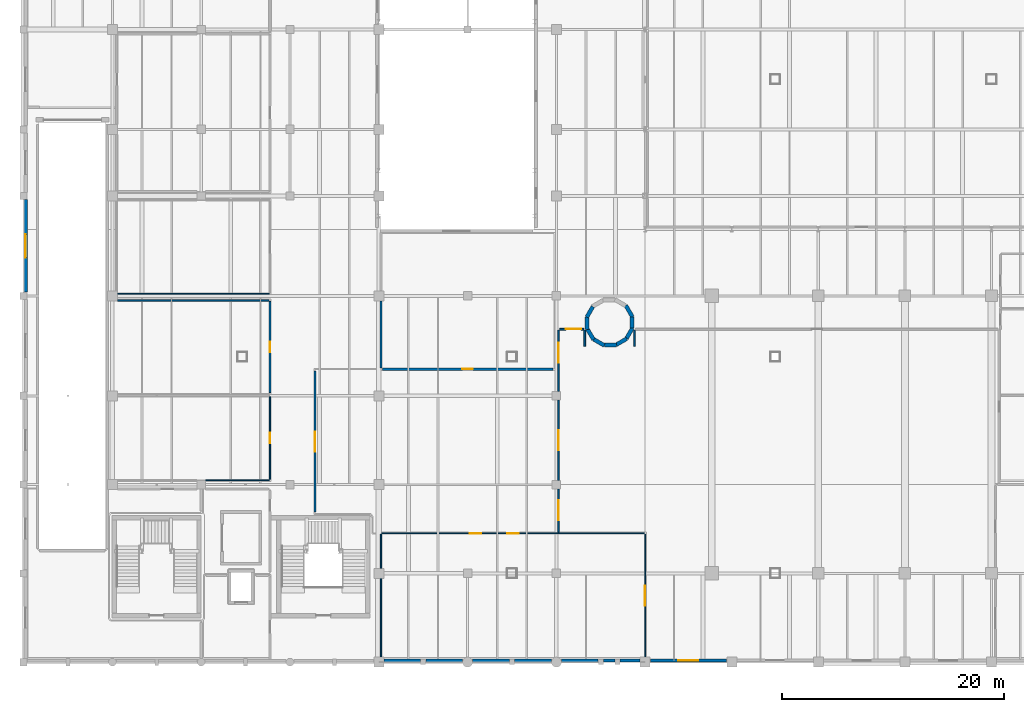
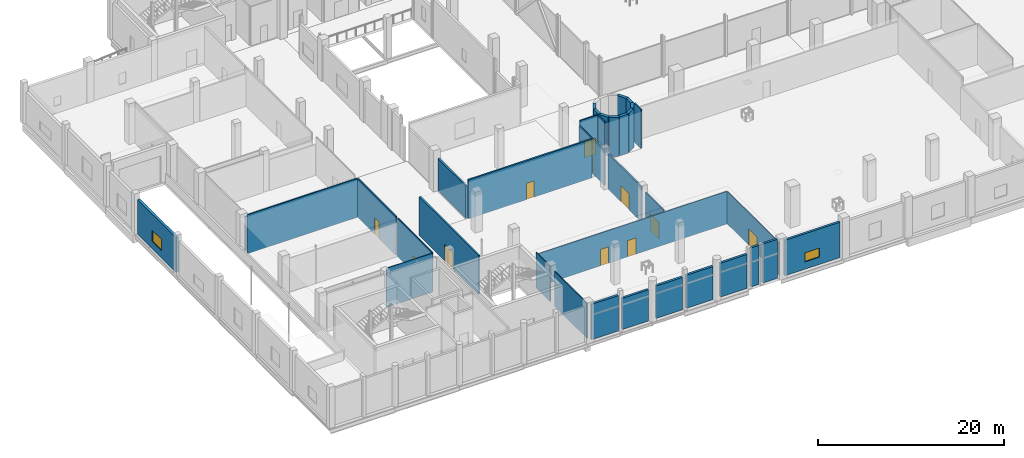
# One storey, part 38 of 57: 36 walls, 11 doors, 2 windows, 13 openings.
"""IFC4 building model written with IfcOpenShell, lengths in metres."""

from ifc_helpers import new_model, si_unit, derived_unit, direction, frame, frame_2d, origin, place, context, subcontext, project, spatial, rectangle, extrude, material, layer, layer_set, type_object, element, fill, save


model = new_model("IFC4")

# Units and contexts
model_context = context("Model", 3, precision=1e-05, world=origin(), true_north=direction((0.0, 1.0)))
body_context = subcontext(model_context, "Body", "Model", "MODEL_VIEW")
ifc_project = project(units=[si_unit("LENGTHUNIT", "METRE"), si_unit("AREAUNIT", "SQUARE_METRE"), si_unit("VOLUMEUNIT", "CUBIC_METRE"), si_unit("PLANEANGLEUNIT", "RADIAN"), si_unit("MASSUNIT", "GRAM", prefix="KILO"), derived_unit("THERMALTRANSMITTANCEUNIT", [(si_unit("POWERUNIT", "WATT"), 1), (si_unit("LENGTHUNIT", "METRE"), -2), (si_unit("THERMODYNAMICTEMPERATUREUNIT", "KELVIN"), -1)])], contexts=[model_context])

# Site, building, storey
site_placement = place(None, origin())
site = spatial("IfcSite", under=ifc_project, at=site_placement, CompositionType="ELEMENT")
building_placement = place(site_placement, origin())
building = spatial("IfcBuilding", under=site, at=building_placement, Name="Nallur Shell Playhouse", CompositionType="ELEMENT")
storey_placement = place(building_placement, origin())
storey = spatial("IfcBuildingStorey", under=building, at=storey_placement, Name="L01", CompositionType="ELEMENT", Elevation=0.0)

# Walls
ifc_material_1 = material(Name="Concrete M45", Category="concrete")
ifc_layer_1 = layer(ifc_material_1, 0.39990234375)
ifc_layer_set_1 = layer_set([ifc_layer_1], Name="Concrete M45")
wall_type_1 = type_object("IfcWallType", Name="WL-CORE-400", PredefinedType="SHEAR", material=ifc_layer_set_1)
wall_1_placement = place(storey_placement, frame((62.861328125, 39.08642578125, 0.0), z_axis=(0.0, 0.0, 1.0), x_axis=(-0.499930512259, 0.866065518833, 0.0)))
element("IfcWall", 1, at=wall_1_placement, inside=storey, type_object=wall_type_1, Name="Metabolist service drum DR-1 facet 1 (L01)", PredefinedType="SHEAR", context=body_context, shape_type="SweptSolid", body=[
    extrude(rectangle(XDim=1.218994140625, YDim=0.35009765625, at=frame_2d((0.609375, 0.0))), origin(), (0.0, 0.0, 1.0), 5.1201171875),
])
for number, where, z_axis, x_axis, name in (
    (2, (59.28515625, 40.032958984375, 0.0), (0.0, 0.0, 1.0), (-0.500102687236, -0.865966109163, 0.0), "Metabolist service drum DR-1 facet 5 (L01)"),
    (3, (58.771484375, 39.08349609375, 0.0), (0.0, 0.0, 1.0), (0.0, -1.0, 0.0), "Metabolist service drum DR-1 facet 6 (L01)"),
    (4, (58.801513671875, 38.00439453125, 0.0), (0.0, 0.0, 1.0), (0.500102687236, -0.865966109163, 0.0), "Metabolist service drum DR-1 facet 7 (L01)"),
):
    element("IfcWall", number, at=place(storey_placement, frame(where, z_axis=z_axis, x_axis=x_axis)), inside=storey, type_object=wall_type_1, Name=name, PredefinedType="SHEAR", context=body_context, shape_type="SweptSolid", body=[
        extrude(rectangle(XDim=1.093017578125, YDim=0.35009765625, at=frame_2d((0.54638671875, 0.0))), origin(), (0.0, 0.0, 1.0), 5.1201171875),
    ])
wall_2_placement = place(storey_placement, frame((59.366943359375, 37.085205078125, 0.0), z_axis=(0.0, 0.0, 1.0), x_axis=(0.866021955858, -0.500005971936, 0.0)))
element("IfcWall", 5, at=wall_2_placement, inside=storey, type_object=wall_type_1, Name="Metabolist service drum DR-1 facet 8 (L01)", PredefinedType="SHEAR", context=body_context, shape_type="SweptSolid", body=[
    extrude(rectangle(XDim=1.09326171875, YDim=0.35009765625, at=frame_2d((0.546630859375, 0.0))), origin(), (0.0, 0.0, 1.0), 5.1201171875),
])
for number, where, z_axis, x_axis, name in (
    (6, (60.31640625, 36.571533203125, 0.0), (0.0, 0.0, 1.0), (1.0, 0.0, 0.0), "Metabolist service drum DR-1 facet 9 (L01)"),
    (7, (61.3955078125, 36.6015625, 0.0), (0.0, 0.0, 1.0), (0.865966109163, 0.500102687236, 0.0), "Metabolist service drum DR-1 facet 10 (L01)"),
    (8, (62.31494140625, 37.1669921875, 0.0), (0.0, 0.0, 1.0), (0.499935162227, 0.866062834654, 0.0), "Metabolist service drum DR-1 facet 11 (L01)"),
):
    element("IfcWall", number, at=place(storey_placement, frame(where, z_axis=z_axis, x_axis=x_axis)), inside=storey, type_object=wall_type_1, Name=name, PredefinedType="SHEAR", context=body_context, shape_type="SweptSolid", body=[
        extrude(rectangle(XDim=1.093017578125, YDim=0.35009765625, at=frame_2d((0.54638671875, 0.0))), origin(), (0.0, 0.0, 1.0), 5.1201171875),
    ])
wall_3_placement = place(storey_placement, frame((62.828369140625, 38.116455078125, 0.0), z_axis=(0.0, 0.0, 1.0), x_axis=(0.0, 1.0, 0.0)))
element("IfcWall", 9, at=wall_3_placement, inside=storey, type_object=wall_type_1, Name="Metabolist service drum DR-1 facet 12 (L01)", PredefinedType="SHEAR", context=body_context, shape_type="SweptSolid", body=[
    extrude(rectangle(XDim=0.967041015625, YDim=0.35009765625, at=frame_2d((0.4833984375, 0.0))), origin(), (0.0, 0.0, 1.0), 5.1201171875),
])

# Wall, opening, window
ifc_material_2 = material(Name="Concrete M30", Category="concrete")
ifc_layer_2 = layer(ifc_material_2, 0.280029296875)
ifc_layer_set_2 = layer_set([ifc_layer_2], Name="Concrete M30")
wall_type_2 = type_object("IfcWallType", Name="WL-EXT-INS280", PredefinedType="STANDARD", material=ifc_layer_set_2)
wall_4_placement = place(storey_placement, frame((71.342041015625, 8.159912109375, 0.0), z_axis=(0.0, 0.0, 1.0), x_axis=(-1.0, 0.0, 0.0)))
wall_4 = element("IfcWall", 10, at=wall_4_placement, inside=storey, type_object=wall_type_2, Name="L01 exterior wall EW-L01-051", PredefinedType="STANDARD", context=body_context, shape_type="SweptSolid", body=[
    extrude(rectangle(XDim=6.884033203125, YDim=0.280029296875, at=frame_2d((3.44189453125, 0.0))), origin(), (0.0, 0.0, 1.0), 4.655029296875),
])
opening_1_placement = place(wall_4_placement, frame((2.5419921875, 0.0, 0.949951171875)))
opening_1 = element("IfcOpeningElement", 11, at=opening_1_placement, cuts=wall_4, Name="Opening WN-21", PredefinedType="OPENING", context=body_context, shape_type="SweptSolid", body=[
    extrude(rectangle(XDim=1.800048828125, YDim=1.199951171875, at=frame_2d((0.89990234375, 0.60009765625))), frame((0.0, 0.14990234375, 0.0), z_axis=(0.0, -1.0, 0.0), x_axis=(1.0, 0.0, 0.0)), (0.0, 0.0, 1.0), 0.300048828125),
])
ifc_material_3 = material(Name="Thermally Broken Aluminium Acoustic Double-Glazed Window", Category="aluminium")
window_type_1 = type_object("IfcWindowType", Name="WN-TYPE-21", PartitioningType="SINGLE_PANEL", PredefinedType="WINDOW", material=ifc_material_3)
window_1_placement = place(opening_1_placement, origin())
window_1 = element("IfcWindow", 12, at=window_1_placement, inside=storey, type_object=window_type_1, Name="L01 facade module window 021", OverallHeight=1.199951171875, OverallWidth=1.800048828125, PartitioningType="SINGLE_PANEL", PredefinedType="WINDOW", context=body_context, shape_type="SweptSolid", body=[
    extrude(rectangle(XDim=1.800048828125, YDim=1.199951171875, at=frame_2d((0.89990234375, 0.60009765625))), frame((0.0, 0.030029296875, 0.0), z_axis=(0.0, -1.0, 0.0), x_axis=(1.0, 0.0, 0.0)), (0.0, 0.0, 1.0), 0.06005859375),
])
fill(opening_1, window_1)

# Walls
wall_5_placement = place(storey_placement, frame((63.5419921875, 8.159912109375, 0.0), z_axis=(0.0, 0.0, 1.0), x_axis=(-1.0, 0.0, 0.0)))
element("IfcWall", 13, at=wall_5_placement, inside=storey, type_object=wall_type_2, Name="L01 exterior wall EW-L01-052", PredefinedType="STANDARD", context=body_context, shape_type="SweptSolid", body=[
    extrude(rectangle(XDim=1.80908203125, YDim=0.280029296875, at=frame_2d((0.904541015625, 0.0))), origin(), (0.0, 0.0, 1.0), 5.1201171875),
])
wall_6_placement = place(storey_placement, frame((61.26708984375, 8.159912109375, 0.0), z_axis=(0.0, 0.0, 1.0), x_axis=(-1.0, 0.0, 0.0)))
element("IfcWall", 14, at=wall_6_placement, inside=storey, type_object=wall_type_2, Name="L01 exterior wall EW-L01-053", PredefinedType="STANDARD", context=body_context, shape_type="SweptSolid", body=[
    extrude(rectangle(XDim=1.0341796875, YDim=0.280029296875, at=frame_2d((0.51708984375, 0.0))), origin(), (0.0, 0.0, 1.0), 5.1201171875),
])
wall_7_placement = place(storey_placement, frame((59.76708984375, 8.159912109375, 0.0), z_axis=(0.0, 0.0, 1.0), x_axis=(-1.0, 0.0, 0.0)))
element("IfcWall", 15, at=wall_7_placement, inside=storey, type_object=wall_type_2, Name="L01 exterior wall EW-L01-054", PredefinedType="STANDARD", context=body_context, shape_type="SweptSolid", body=[
    extrude(rectangle(XDim=3.30908203125, YDim=0.280029296875, at=frame_2d((1.654541015625, 0.0))), origin(), (0.0, 0.0, 1.0), 4.455078125),
])
wall_8_placement = place(storey_placement, frame((55.5419921875, 8.159912109375, 0.0), z_axis=(0.0, 0.0, 1.0), x_axis=(-1.0, 0.0, 0.0)))
element("IfcWall", 16, at=wall_8_placement, inside=storey, type_object=wall_type_2, Name="L01 exterior wall EW-L01-055", PredefinedType="STANDARD", context=body_context, shape_type="SweptSolid", body=[
    extrude(rectangle(XDim=3.30908203125, YDim=0.280029296875, at=frame_2d((1.654541015625, 0.0))), origin(), (0.0, 0.0, 1.0), 4.35498046875),
])
wall_9_placement = place(storey_placement, frame((51.76708984375, 8.159912109375, 0.0), z_axis=(0.0, 0.0, 1.0), x_axis=(-1.0, 0.0, 0.0)))
element("IfcWall", 17, at=wall_9_placement, inside=storey, type_object=wall_type_2, Name="L01 exterior wall EW-L01-056", PredefinedType="STANDARD", context=body_context, shape_type="SweptSolid", body=[
    extrude(rectangle(XDim=3.30908203125, YDim=0.280029296875, at=frame_2d((1.654541015625, 0.0))), origin(), (0.0, 0.0, 1.0), 4.2548828125),
])
wall_10_placement = place(storey_placement, frame((47.5419921875, 8.159912109375, 0.0), z_axis=(0.0, 0.0, 1.0), x_axis=(-1.0, 0.0, 0.0)))
element("IfcWall", 18, at=wall_10_placement, inside=storey, type_object=wall_type_2, Name="L01 exterior wall EW-L01-057", PredefinedType="STANDARD", context=body_context, shape_type="SweptSolid", body=[
    extrude(rectangle(XDim=3.30908203125, YDim=0.280029296875, at=frame_2d((1.654541015625, 0.0))), origin(), (0.0, 0.0, 1.0), 4.10498046875),
])
wall_11_placement = place(storey_placement, frame((43.76708984375, 8.159912109375, 0.0), z_axis=(0.0, 0.0, 1.0), x_axis=(-1.0, 0.0, 0.0)))
element("IfcWall", 19, at=wall_11_placement, inside=storey, type_object=wall_type_2, Name="L01 exterior wall EW-L01-058", PredefinedType="STANDARD", context=body_context, shape_type="SweptSolid", body=[
    extrude(rectangle(XDim=3.30908203125, YDim=0.280029296875, at=frame_2d((1.654541015625, 0.0))), origin(), (0.0, 0.0, 1.0), 4.655029296875),
])

# Wall, opening, window
ifc_material_4 = material(Name="Concrete M35", Category="concrete")
ifc_layer_3 = layer(ifc_material_4, 0.320068359375)
ifc_layer_set_3 = layer_set([ifc_layer_3], Name="Concrete M35")
wall_type_3 = type_object("IfcWallType", Name="WL-EXT-RC320", PredefinedType="STANDARD", material=ifc_layer_set_3)
wall_12_placement = place(storey_placement, frame((8.179931640625, 41.3330078125, 0.0), z_axis=(0.0, 0.0, 1.0), x_axis=(0.0, 1.0, 0.0)))
wall_12 = element("IfcWall", 20, at=wall_12_placement, inside=storey, type_object=wall_type_3, Name="L01 exterior wall EW-L01-071", PredefinedType="STANDARD", context=body_context, shape_type="SweptSolid", body=[
    extrude(rectangle(XDim=8.333984375, YDim=0.320068359375, at=frame_2d((4.1669921875, 0.0))), origin(), (0.0, 0.0, 1.0), 4.554931640625),
])
opening_2_placement = place(wall_12_placement, frame((3.116943359375, 0.0, 0.949951171875)))
opening_2 = element("IfcOpeningElement", 21, at=opening_2_placement, cuts=wall_12, Name="Opening WN-26", PredefinedType="OPENING", context=body_context, shape_type="SweptSolid", body=[
    extrude(rectangle(XDim=2.10009765625, YDim=1.5, at=frame_2d((1.050048828125, 0.75))), frame((0.0, 0.169921875, 0.0), z_axis=(0.0, -1.0, 0.0), x_axis=(1.0, 0.0, 0.0)), (0.0, 0.0, 1.0), 0.340087890625),
])
window_type_2 = type_object("IfcWindowType", Name="WN-TYPE-26", PartitioningType="SINGLE_PANEL", PredefinedType="LIGHTDOME", material=ifc_material_3)
window_2_placement = place(opening_2_placement, origin())
window_2 = element("IfcWindow", 22, at=window_2_placement, inside=storey, type_object=window_type_2, Name="L01 facade module window 026", OverallHeight=1.5, OverallWidth=2.10009765625, PartitioningType="SINGLE_PANEL", PredefinedType="LIGHTDOME", context=body_context, shape_type="SweptSolid", body=[
    extrude(rectangle(XDim=2.10009765625, YDim=1.5, at=frame_2d((1.050048828125, 0.75))), frame((0.0, 0.030029296875, 0.0), z_axis=(0.0, -1.0, 0.0), x_axis=(1.0, 0.0, 0.0)), (0.0, 0.0, 1.0), 0.06005859375),
])
fill(opening_2, window_2)

# Wall, opening, door
ifc_layer_4 = layer(ifc_material_2, 0.199951171875)
ifc_layer_set_4 = layer_set([ifc_layer_4], Name="Concrete M30")
wall_type_4 = type_object("IfcWallType", Name="WL-PART-AC200", PredefinedType="PARTITIONING", material=ifc_layer_set_4)
wall_13_placement = place(storey_placement, frame((55.679931640625, 34.39990234375, 0.0), z_axis=(0.0, 0.0, 1.0), x_axis=(-1.0, 0.0, 0.0)))
wall_13 = element("IfcWall", 23, at=wall_13_placement, inside=storey, type_object=wall_type_4, Name="Box Office & Patron Ticketing Suite partition IW-L01-0053", PredefinedType="PARTITIONING", context=body_context, shape_type="SweptSolid", body=[
    extrude(rectangle(XDim=15.35986328125, YDim=0.199951171875, at=frame_2d((7.679931640625, 0.0))), origin(), (0.0, 0.0, 1.0), 5.110107421875),
])
opening_3_placement = place(wall_13_placement, frame((7.205078125, 0.0, 0.0)))
opening_3 = element("IfcOpeningElement", 24, at=opening_3_placement, cuts=wall_13, Name="Opening ID-04", PredefinedType="OPENING", context=body_context, shape_type="SweptSolid", body=[
    extrude(rectangle(XDim=0.949951171875, YDim=2.14990234375, at=frame_2d((0.47509765625, 1.074951171875))), frame((0.0, 0.10986328125, 0.0), z_axis=(0.0, -1.0, 0.0), x_axis=(1.0, 0.0, 0.0)), (0.0, 0.0, 1.0), 0.219970703125),
])
ifc_material_5 = material(Name="Solid-Core Engineered Timber Door", Category="wood")
door_type_1 = type_object("IfcDoorType", Name="DR-INT-SGL950R", OperationType="SINGLE_SWING_RIGHT", PredefinedType="DOOR", material=ifc_material_5)
door_1_placement = place(opening_3_placement, origin())
door_1 = element("IfcDoor", 25, at=door_1_placement, inside=storey, type_object=door_type_1, Name="Box Office & Patron Ticketing Suite door 1", OperationType="SINGLE_SWING_RIGHT", OverallHeight=2.14990234375, OverallWidth=0.949951171875, PredefinedType="DOOR", context=body_context, shape_type="SweptSolid", body=[
    extrude(rectangle(XDim=0.949951171875, YDim=2.14990234375, at=frame_2d((0.47509765625, 1.074951171875))), frame((0.0, 0.02490234375, 0.0), z_axis=(0.0, -1.0, 0.0), x_axis=(1.0, 0.0, 0.0)), (0.0, 0.0, 1.0), 0.050048828125),
])
fill(opening_3, door_1)

# Wall
wall_14_placement = place(storey_placement, frame((40.199951171875, 34.52001953125, 0.0), z_axis=(0.0, 0.0, 1.0), x_axis=(0.0, 1.0, 0.0)))
element("IfcWall", 26, at=wall_14_placement, inside=storey, type_object=wall_type_4, Name="Box Office & Patron Ticketing Suite partition IW-L01-0054", PredefinedType="PARTITIONING", context=body_context, shape_type="SweptSolid", body=[
    extrude(rectangle(XDim=6.014892578125, YDim=0.199951171875, at=frame_2d((3.00732421875, 0.0))), origin(), (0.0, 0.0, 1.0), 4.25),
])

# Wall, opening, door
wall_15_placement = place(storey_placement, frame((34.25, 21.52001953125, 0.0), z_axis=(0.0, 0.0, 1.0), x_axis=(0.0, 1.0, 0.0)))
wall_15 = element("IfcWall", 27, at=wall_15_placement, inside=storey, type_object=wall_type_4, Name="Ground Monsoon Atrium Concourse partition IW-L01-0125", PredefinedType="PARTITIONING", context=body_context, shape_type="SweptSolid", body=[
    extrude(rectangle(XDim=12.7099609375, YDim=0.199951171875, at=frame_2d((6.35498046875, 0.0))), origin(), (0.0, 0.0, 1.0), 5.110107421875),
])
opening_4_placement = place(wall_15_placement, frame((5.455078125, 0.0, 0.0)))
opening_4 = element("IfcOpeningElement", 28, at=opening_4_placement, cuts=wall_15, Name="Opening FD-FL1", PredefinedType="OPENING", context=body_context, shape_type="SweptSolid", body=[
    extrude(rectangle(XDim=1.800048828125, YDim=2.14990234375, at=frame_2d((0.89990234375, 1.074951171875))), frame((0.0, 0.10986328125, 0.0), z_axis=(0.0, -1.0, 0.0), x_axis=(1.0, 0.0, 0.0)), (0.0, 0.0, 1.0), 0.219970703125),
])
ifc_material_6 = material(Name="Firefighting Lobby Smoke-Seal Double Door")
door_type_2 = type_object("IfcDoorType", Name="DR-INT-FFL-DBL", OperationType="DOUBLE_DOOR_SINGLE_SWING", PredefinedType="DOOR", material=ifc_material_6)
door_2_placement = place(opening_4_placement, origin())
door_2 = element("IfcDoor", 29, at=door_2_placement, inside=storey, type_object=door_type_2, Name="L01 circulation link door 0041", OperationType="DOUBLE_DOOR_SINGLE_SWING", OverallHeight=2.14990234375, OverallWidth=1.800048828125, PredefinedType="DOOR", context=body_context, shape_type="SweptSolid", body=[
    extrude(rectangle(XDim=1.800048828125, YDim=2.14990234375, at=frame_2d((0.89990234375, 1.074951171875))), frame((0.0, 0.02490234375, 0.0), z_axis=(0.0, -1.0, 0.0), x_axis=(1.0, 0.0, 0.0)), (0.0, 0.0, 1.0), 0.050048828125),
])
fill(opening_4, door_2)

# Wall, openings, doors
ifc_material_7 = material(Name="Double-Layer Fire-Rated Gypsum Stud Partition")
ifc_layer_5 = layer(ifc_material_7, 0.10009765625)
ifc_layer_set_5 = layer_set([ifc_layer_5], Name="Double-Layer Fire-Rated Gypsum Stud Partition")
wall_type_5 = type_object("IfcWallType", Name="WL-PART-DRY100", PredefinedType="PARTITIONING", material=ifc_layer_set_5)
wall_16_placement = place(storey_placement, frame((40.27001953125, 19.60009765625, 0.0), z_axis=(0.0, 0.0, 1.0), x_axis=(1.0, 0.0, 0.0)))
wall_16 = element("IfcWall", 30, at=wall_16_placement, inside=storey, type_object=wall_type_5, Name="South-West Sheltered Arrival Colonnade partition IW-L01-0039", PredefinedType="PARTITIONING", context=body_context, shape_type="SweptSolid", body=[
    extrude(rectangle(XDim=23.659912109375, YDim=0.10009765625, at=frame_2d((11.830078125, 0.0))), origin(), (0.0, 0.0, 1.0), 4.300048828125),
])
opening_5_placement = place(wall_16_placement, frame((11.304931640625, 0.0, 0.0)))
opening_5 = element("IfcOpeningElement", 31, at=opening_5_placement, cuts=wall_16, Name="Opening ID-02", PredefinedType="OPENING", context=body_context, shape_type="SweptSolid", body=[
    extrude(rectangle(XDim=1.050048828125, YDim=2.14990234375, at=frame_2d((0.52490234375, 1.074951171875))), frame((0.0, 0.06005859375, 0.0), z_axis=(0.0, -1.0, 0.0), x_axis=(1.0, 0.0, 0.0)), (0.0, 0.0, 1.0), 0.1201171875),
])
opening_6_placement = place(wall_16_placement, frame((7.9130859375, 0.0, 0.0)))
opening_6 = element("IfcOpeningElement", 32, at=opening_6_placement, cuts=wall_16, Name="Opening ID-02", PredefinedType="OPENING", context=body_context, shape_type="SweptSolid", body=[
    extrude(rectangle(XDim=1.050048828125, YDim=2.14990234375, at=frame_2d((0.52490234375, 1.074951171875))), frame((0.0, 0.06005859375, 0.0), z_axis=(0.0, -1.0, 0.0), x_axis=(1.0, 0.0, 0.0)), (0.0, 0.0, 1.0), 0.1201171875),
])
ifc_material_8 = material(Name="Solid-Core Engineered Timber Fire Door", Category="wood")
door_type_3 = type_object("IfcDoorType", Name="DR-INT-SGL1050R", OperationType="SINGLE_SWING_RIGHT", PredefinedType="DOOR", material=ifc_material_8)
door_3_placement = place(opening_5_placement, origin())
door_3 = element("IfcDoor", 33, at=door_3_placement, inside=storey, type_object=door_type_3, Name="South-West Sheltered Arrival Colonnade door 1", OperationType="SINGLE_SWING_RIGHT", OverallHeight=2.14990234375, OverallWidth=1.050048828125, PredefinedType="DOOR", context=body_context, shape_type="SweptSolid", body=[
    extrude(rectangle(XDim=1.050048828125, YDim=2.14990234375, at=frame_2d((0.52490234375, 1.074951171875))), frame((0.0, 0.02490234375, 0.0), z_axis=(0.0, -1.0, 0.0), x_axis=(1.0, 0.0, 0.0)), (0.0, 0.0, 1.0), 0.050048828125),
])
fill(opening_5, door_3)
door_4_placement = place(opening_6_placement, origin())
door_4 = element("IfcDoor", 34, at=door_4_placement, inside=storey, type_object=door_type_3, Name="Ground Monsoon Atrium Concourse door 1", OperationType="SINGLE_SWING_RIGHT", OverallHeight=2.14990234375, OverallWidth=1.050048828125, PredefinedType="DOOR", context=body_context, shape_type="SweptSolid", body=[
    extrude(rectangle(XDim=1.050048828125, YDim=2.14990234375, at=frame_2d((0.52490234375, 1.074951171875))), frame((0.0, 0.02490234375, 0.0), z_axis=(0.0, -1.0, 0.0), x_axis=(1.0, 0.0, 0.0)), (0.0, 0.0, 1.0), 0.050048828125),
])
fill(opening_6, door_4)

# Wall, opening, door
wall_17_placement = place(storey_placement, frame((64.0, 19.530029296875, 0.0), z_axis=(0.0, 0.0, 1.0), x_axis=(0.0, -1.0, 0.0)))
wall_17 = element("IfcWall", 35, at=wall_17_placement, inside=storey, type_object=wall_type_5, Name="South-West Sheltered Arrival Colonnade partition IW-L01-0040", PredefinedType="PARTITIONING", context=body_context, shape_type="SweptSolid", body=[
    extrude(rectangle(XDim=11.06005859375, YDim=0.10009765625, at=frame_2d((5.530029296875, 0.0))), origin(), (0.0, 0.0, 1.0), 4.300048828125),
])
opening_7_placement = place(wall_17_placement, frame((4.6298828125, 0.0, 0.0)))
opening_7 = element("IfcOpeningElement", 36, at=opening_7_placement, cuts=wall_17, Name="Opening FD-FL1", PredefinedType="OPENING", context=body_context, shape_type="SweptSolid", body=[
    extrude(rectangle(XDim=1.800048828125, YDim=2.14990234375, at=frame_2d((0.89990234375, 1.074951171875))), frame((0.0, 0.06005859375, 0.0), z_axis=(0.0, -1.0, 0.0), x_axis=(1.0, 0.0, 0.0)), (0.0, 0.0, 1.0), 0.1201171875),
])
door_5_placement = place(opening_7_placement, origin())
door_5 = element("IfcDoor", 37, at=door_5_placement, inside=storey, type_object=door_type_2, Name="L01 circulation link door 0035", OperationType="DOUBLE_DOOR_SINGLE_SWING", OverallHeight=2.14990234375, OverallWidth=1.800048828125, PredefinedType="DOOR", context=body_context, shape_type="SweptSolid", body=[
    extrude(rectangle(XDim=1.800048828125, YDim=2.14990234375, at=frame_2d((0.89990234375, 1.074951171875))), frame((0.0, 0.02490234375, 0.0), z_axis=(0.0, -1.0, 0.0), x_axis=(1.0, 0.0, 0.0)), (0.0, 0.0, 1.0), 0.050048828125),
])
fill(opening_7, door_5)

# Walls
wall_18_placement = place(storey_placement, frame((40.199951171875, 8.469970703125, 0.0), z_axis=(0.0, 0.0, 1.0), x_axis=(0.0, 1.0, 0.0)))
element("IfcWall", 38, at=wall_18_placement, inside=storey, type_object=wall_type_5, Name="South-West Sheltered Arrival Colonnade partition IW-L01-0041", PredefinedType="PARTITIONING", context=body_context, shape_type="SweptSolid", body=[
    extrude(rectangle(XDim=7.06494140625, YDim=0.10009765625, at=frame_2d((3.532470703125, 0.0))), origin(), (0.0, 0.0, 1.0), 4.60009765625),
])
wall_19_placement = place(storey_placement, frame((40.199951171875, 16.465087890625, 0.0), z_axis=(0.0, 0.0, 1.0), x_axis=(0.0, 1.0, 0.0)))
element("IfcWall", 39, at=wall_19_placement, inside=storey, type_object=wall_type_5, Name="South-West Sheltered Arrival Colonnade partition IW-L01-0042", PredefinedType="PARTITIONING", context=body_context, shape_type="SweptSolid", body=[
    extrude(rectangle(XDim=3.06494140625, YDim=0.10009765625, at=frame_2d((1.532470703125, 0.0))), origin(), (0.0, 0.0, 1.0), 4.64990234375),
])
wall_20_placement = place(storey_placement, frame((30.1298828125, 24.39990234375, 0.0), z_axis=(0.0, 0.0, 1.0), x_axis=(-1.0, 0.0, 0.0)))
element("IfcWall", 40, at=wall_20_placement, inside=storey, type_object=wall_type_5, Name="Principal Soloist Dressing Suite 01 partition IW-L01-0102", PredefinedType="PARTITIONING", context=body_context, shape_type="SweptSolid", body=[
    extrude(rectangle(XDim=5.739990234375, YDim=0.10009765625, at=frame_2d((2.8701171875, 0.0))), origin(), (0.0, 0.0, 1.0), 5.110107421875),
])

# Wall, opening, door
wall_21_placement = place(storey_placement, frame((30.199951171875, 31.929931640625, 0.0), z_axis=(0.0, 0.0, 1.0), x_axis=(0.0, -1.0, 0.0)))
wall_21 = element("IfcWall", 41, at=wall_21_placement, inside=storey, type_object=wall_type_5, Name="Principal Soloist Dressing Suite 01 partition IW-L01-0105", PredefinedType="PARTITIONING", context=body_context, shape_type="SweptSolid", body=[
    extrude(rectangle(XDim=7.4599609375, YDim=0.10009765625, at=frame_2d((3.72998046875, 0.0))), origin(), (0.0, 0.0, 1.0), 5.110107421875),
])
opening_8_placement = place(wall_21_placement, frame((3.2548828125, 0.0, 0.0)))
opening_8 = element("IfcOpeningElement", 42, at=opening_8_placement, cuts=wall_21, Name="Opening ID-03", PredefinedType="OPENING", context=body_context, shape_type="SweptSolid", body=[
    extrude(rectangle(XDim=0.949951171875, YDim=2.14990234375, at=frame_2d((0.47509765625, 1.074951171875))), frame((0.0, 0.06005859375, 0.0), z_axis=(0.0, -1.0, 0.0), x_axis=(1.0, 0.0, 0.0)), (0.0, 0.0, 1.0), 0.1201171875),
])
door_type_4 = type_object("IfcDoorType", Name="DR-INT-SGL950L", OperationType="SINGLE_SWING_LEFT", PredefinedType="DOOR", material=ifc_material_5)
door_6_placement = place(opening_8_placement, origin())
door_6 = element("IfcDoor", 43, at=door_6_placement, inside=storey, type_object=door_type_4, Name="Principal Soloist Dressing Suite 01 door 1", OperationType="SINGLE_SWING_LEFT", OverallHeight=2.14990234375, OverallWidth=0.949951171875, PredefinedType="DOOR", context=body_context, shape_type="SweptSolid", body=[
    extrude(rectangle(XDim=0.949951171875, YDim=2.14990234375, at=frame_2d((0.47509765625, 1.074951171875))), frame((0.0, 0.02490234375, 0.0), z_axis=(0.0, -1.0, 0.0), x_axis=(1.0, 0.0, 0.0)), (0.0, 0.0, 1.0), 0.050048828125),
])
fill(opening_8, door_6)

# Walls
wall_22_placement = place(storey_placement, frame((30.1298828125, 41.199951171875, 0.0), z_axis=(0.0, 0.0, 1.0), x_axis=(-1.0, 0.0, 0.0)))
element("IfcWall", 44, at=wall_22_placement, inside=storey, type_object=wall_type_5, Name="Secure Bicycle & Scooter Store partition IW-L01-0111", PredefinedType="PARTITIONING", context=body_context, shape_type="SweptSolid", body=[
    extrude(rectangle(XDim=13.659912109375, YDim=0.10009765625, at=frame_2d((6.830078125, 0.0))), origin(), (0.0, 0.0, 1.0), 4.5),
])
ifc_material_9 = material(Name="Concrete M25 Fire Blockwork", Category="masonry")
ifc_layer_6 = layer(ifc_material_9, 0.14990234375)
ifc_layer_set_6 = layer_set([ifc_layer_6], Name="Concrete M25 Fire Blockwork")
wall_type_6 = type_object("IfcWallType", Name="WL-PART-FR150", PredefinedType="PARTITIONING", material=ifc_layer_set_6)
for number, where, z_axis, x_axis, name in (
    (45, (58.550048828125, 37.905029296875, 0.0), (0.0, 0.0, 1.0), (0.0, -1.0, 0.0), "Grand Monsoon Concourse & Ticket Hall partition IW-L01-0043"),
    (46, (63.050048828125, 36.445068359375, 0.0), (0.0, 0.0, 1.0), (0.0, 1.0, 0.0), "Grand Monsoon Concourse & Ticket Hall partition IW-L01-0044"),
):
    element("IfcWall", number, at=place(storey_placement, frame(where, z_axis=z_axis, x_axis=x_axis)), inside=storey, type_object=wall_type_6, Name=name, PredefinedType="PARTITIONING", context=body_context, shape_type="SweptSolid", body=[
        extrude(rectangle(XDim=1.4599609375, YDim=0.14990234375, at=frame_2d((0.72998046875, 0.0))), origin(), (0.0, 0.0, 1.0), 5.110107421875),
    ])

# Wall, opening, door
wall_23_placement = place(storey_placement, frame((56.199951171875, 19.72509765625, 0.0), z_axis=(0.0, 0.0, 1.0), x_axis=(0.0, 1.0, 0.0)))
wall_23 = element("IfcWall", 47, at=wall_23_placement, inside=storey, type_object=wall_type_6, Name="Grand Monsoon Concourse & Ticket Hall partition IW-L01-0049", PredefinedType="PARTITIONING", context=body_context, shape_type="SweptSolid", body=[
    extrude(rectangle(XDim=3.885009765625, YDim=0.14990234375, at=frame_2d((1.9423828125, 0.0))), origin(), (0.0, 0.0, 1.0), 4.449951171875),
])
opening_9_placement = place(wall_23_placement, frame((1.0419921875, 0.0, 0.0)))
opening_9 = element("IfcOpeningElement", 48, at=opening_9_placement, cuts=wall_23, Name="Opening FD-FL1", PredefinedType="OPENING", context=body_context, shape_type="SweptSolid", body=[
    extrude(rectangle(XDim=1.800048828125, YDim=2.14990234375, at=frame_2d((0.89990234375, 1.074951171875))), frame((0.0, 0.0849609375, 0.0), z_axis=(0.0, -1.0, 0.0), x_axis=(1.0, 0.0, 0.0)), (0.0, 0.0, 1.0), 0.169921875),
])
door_7_placement = place(opening_9_placement, origin())
door_7 = element("IfcDoor", 49, at=door_7_placement, inside=storey, type_object=door_type_2, Name="L01 circulation link door 0037", OperationType="DOUBLE_DOOR_SINGLE_SWING", OverallHeight=2.14990234375, OverallWidth=1.800048828125, PredefinedType="DOOR", context=body_context, shape_type="SweptSolid", body=[
    extrude(rectangle(XDim=1.800048828125, YDim=2.14990234375, at=frame_2d((0.89990234375, 1.074951171875))), frame((0.0, 0.02490234375, 0.0), z_axis=(0.0, -1.0, 0.0), x_axis=(1.0, 0.0, 0.0)), (0.0, 0.0, 1.0), 0.050048828125),
])
fill(opening_9, door_7)

wall_24_placement = place(storey_placement, frame((56.199951171875, 24.389892578125, 0.0), z_axis=(0.0, 0.0, 1.0), x_axis=(0.0, 1.0, 0.0)))
wall_24 = element("IfcWall", 50, at=wall_24_placement, inside=storey, type_object=wall_type_6, Name="Grand Monsoon Concourse & Ticket Hall partition IW-L01-0050", PredefinedType="PARTITIONING", context=body_context, shape_type="SweptSolid", body=[
    extrude(rectangle(XDim=7.22021484375, YDim=0.14990234375, at=frame_2d((3.610107421875, 0.0))), origin(), (0.0, 0.0, 1.0), 4.64990234375),
])
opening_10_placement = place(wall_24_placement, frame((2.7099609375, 0.0, 0.0)))
opening_10 = element("IfcOpeningElement", 51, at=opening_10_placement, cuts=wall_24, Name="Opening FD-FL1", PredefinedType="OPENING", context=body_context, shape_type="SweptSolid", body=[
    extrude(rectangle(XDim=1.800048828125, YDim=2.14990234375, at=frame_2d((0.89990234375, 1.074951171875))), frame((0.0, 0.0849609375, 0.0), z_axis=(0.0, -1.0, 0.0), x_axis=(1.0, 0.0, 0.0)), (0.0, 0.0, 1.0), 0.169921875),
])
door_8_placement = place(opening_10_placement, origin())
door_8 = element("IfcDoor", 52, at=door_8_placement, inside=storey, type_object=door_type_2, Name="L01 circulation link door 0038", OperationType="DOUBLE_DOOR_SINGLE_SWING", OverallHeight=2.14990234375, OverallWidth=1.800048828125, PredefinedType="DOOR", context=body_context, shape_type="SweptSolid", body=[
    extrude(rectangle(XDim=1.800048828125, YDim=2.14990234375, at=frame_2d((0.89990234375, 1.074951171875))), frame((0.0, 0.02490234375, 0.0), z_axis=(0.0, -1.0, 0.0), x_axis=(1.0, 0.0, 0.0)), (0.0, 0.0, 1.0), 0.050048828125),
])
fill(opening_10, door_8)

wall_25_placement = place(storey_placement, frame((56.199951171875, 32.389892578125, 0.0), z_axis=(0.0, 0.0, 1.0), x_axis=(0.0, 1.0, 0.0)))
wall_25 = element("IfcWall", 53, at=wall_25_placement, inside=storey, type_object=wall_type_6, Name="Grand Monsoon Concourse & Ticket Hall partition IW-L01-0051", PredefinedType="PARTITIONING", context=body_context, shape_type="SweptSolid", body=[
    extrude(rectangle(XDim=5.51513671875, YDim=0.14990234375, at=frame_2d((2.757568359375, 0.0))), origin(), (0.0, 0.0, 1.0), 4.5),
])
opening_11_placement = place(wall_25_placement, frame((2.60107421875, 0.0, 0.0)))
opening_11 = element("IfcOpeningElement", 54, at=opening_11_placement, cuts=wall_25, Name="Opening FD-FL1", PredefinedType="OPENING", context=body_context, shape_type="SweptSolid", body=[
    extrude(rectangle(XDim=1.800048828125, YDim=2.14990234375, at=frame_2d((0.89990234375, 1.074951171875))), frame((0.0, 0.0849609375, 0.0), z_axis=(0.0, -1.0, 0.0), x_axis=(1.0, 0.0, 0.0)), (0.0, 0.0, 1.0), 0.169921875),
])
door_9_placement = place(opening_11_placement, origin())
door_9 = element("IfcDoor", 55, at=door_9_placement, inside=storey, type_object=door_type_2, Name="L01 circulation link door 0039", OperationType="DOUBLE_DOOR_SINGLE_SWING", OverallHeight=2.14990234375, OverallWidth=1.800048828125, PredefinedType="DOOR", context=body_context, shape_type="SweptSolid", body=[
    extrude(rectangle(XDim=1.800048828125, YDim=2.14990234375, at=frame_2d((0.89990234375, 1.074951171875))), frame((0.0, 0.02490234375, 0.0), z_axis=(0.0, -1.0, 0.0), x_axis=(1.0, 0.0, 0.0)), (0.0, 0.0, 1.0), 0.050048828125),
])
fill(opening_11, door_9)

wall_26_placement = place(storey_placement, frame((56.294921875, 38.0, 0.0), z_axis=(0.0, 0.0, 1.0), x_axis=(1.0, 0.0, 0.0)))
wall_26 = element("IfcWall", 56, at=wall_26_placement, inside=storey, type_object=wall_type_6, Name="Grand Monsoon Concourse & Ticket Hall partition IW-L01-0052", PredefinedType="PARTITIONING", context=body_context, shape_type="SweptSolid", body=[
    extrude(rectangle(XDim=2.16015625, YDim=0.14990234375, at=frame_2d((1.080078125, 0.0))), origin(), (0.0, 0.0, 1.0), 5.110107421875),
])
opening_12_placement = place(wall_26_placement, frame((0.531982421875, 0.0, 0.0)))
opening_12 = element("IfcOpeningElement", 57, at=opening_12_placement, cuts=wall_26, Name="Opening SD-01", PredefinedType="OPENING", context=body_context, shape_type="SweptSolid", body=[
    extrude(rectangle(XDim=1.39990234375, YDim=2.14990234375, at=frame_2d((0.699951171875, 1.074951171875))), frame((0.0, 0.0849609375, 0.0), z_axis=(0.0, -1.0, 0.0), x_axis=(1.0, 0.0, 0.0)), (0.0, 0.0, 1.0), 0.169921875),
])
ifc_material_10 = material(Name="Accessible Studio Acoustic Sliding Door")
door_type_5 = type_object("IfcDoorType", Name="DR-INT-SLIDE1400", OperationType="SLIDING_TO_LEFT", PredefinedType="DOOR", material=ifc_material_10)
door_10_placement = place(opening_12_placement, origin())
door_10 = element("IfcDoor", 58, at=door_10_placement, inside=storey, type_object=door_type_5, Name="L01 circulation link door 0040", OperationType="SLIDING_TO_LEFT", OverallHeight=2.14990234375, OverallWidth=1.39990234375, PredefinedType="DOOR", context=body_context, shape_type="SweptSolid", body=[
    extrude(rectangle(XDim=1.39990234375, YDim=2.14990234375, at=frame_2d((0.699951171875, 1.074951171875))), frame((0.0, 0.02490234375, 0.0), z_axis=(0.0, -1.0, 0.0), x_axis=(1.0, 0.0, 0.0)), (0.0, 0.0, 1.0), 0.050048828125),
])
fill(opening_12, door_10)

# Wall
wall_27_placement = place(storey_placement, frame((16.465087890625, 40.60009765625, 0.0), z_axis=(0.0, 0.0, 1.0), x_axis=(1.0, 0.0, 0.0)))
element("IfcWall", 59, at=wall_27_placement, inside=storey, type_object=wall_type_6, Name="Principal Soloist Dressing Suite 02 partition IW-L01-0106", PredefinedType="PARTITIONING", context=body_context, shape_type="SweptSolid", body=[
    extrude(rectangle(XDim=13.639892578125, YDim=0.14990234375, at=frame_2d((6.81982421875, 0.0))), origin(), (0.0, 0.0, 1.0), 5.110107421875),
])

# Wall, opening, door
wall_28_placement = place(storey_placement, frame((30.199951171875, 40.5048828125, 0.0), z_axis=(0.0, 0.0, 1.0), x_axis=(0.0, -1.0, 0.0)))
wall_28 = element("IfcWall", 60, at=wall_28_placement, inside=storey, type_object=wall_type_6, Name="Principal Soloist Dressing Suite 02 partition IW-L01-0107", PredefinedType="PARTITIONING", context=body_context, shape_type="SweptSolid", body=[
    extrude(rectangle(XDim=8.2099609375, YDim=0.14990234375, at=frame_2d((4.10498046875, 0.0))), origin(), (0.0, 0.0, 1.0), 5.110107421875),
])
opening_13_placement = place(wall_28_placement, frame((3.6298828125, 0.0, 0.0)))
opening_13 = element("IfcOpeningElement", 61, at=opening_13_placement, cuts=wall_28, Name="Opening ID-04", PredefinedType="OPENING", context=body_context, shape_type="SweptSolid", body=[
    extrude(rectangle(XDim=0.949951171875, YDim=2.14990234375, at=frame_2d((0.47509765625, 1.074951171875))), frame((0.0, 0.0849609375, 0.0), z_axis=(0.0, -1.0, 0.0), x_axis=(1.0, 0.0, 0.0)), (0.0, 0.0, 1.0), 0.169921875),
])
door_11_placement = place(opening_13_placement, origin())
door_11 = element("IfcDoor", 62, at=door_11_placement, inside=storey, type_object=door_type_1, Name="Principal Soloist Dressing Suite 02 door 1", OperationType="SINGLE_SWING_RIGHT", OverallHeight=2.14990234375, OverallWidth=0.949951171875, PredefinedType="DOOR", context=body_context, shape_type="SweptSolid", body=[
    extrude(rectangle(XDim=0.949951171875, YDim=2.14990234375, at=frame_2d((0.47509765625, 1.074951171875))), frame((0.0, 0.02490234375, 0.0), z_axis=(0.0, -1.0, 0.0), x_axis=(1.0, 0.0, 0.0)), (0.0, 0.0, 1.0), 0.050048828125),
])
fill(opening_13, door_11)

save(model, "model.ifc")
